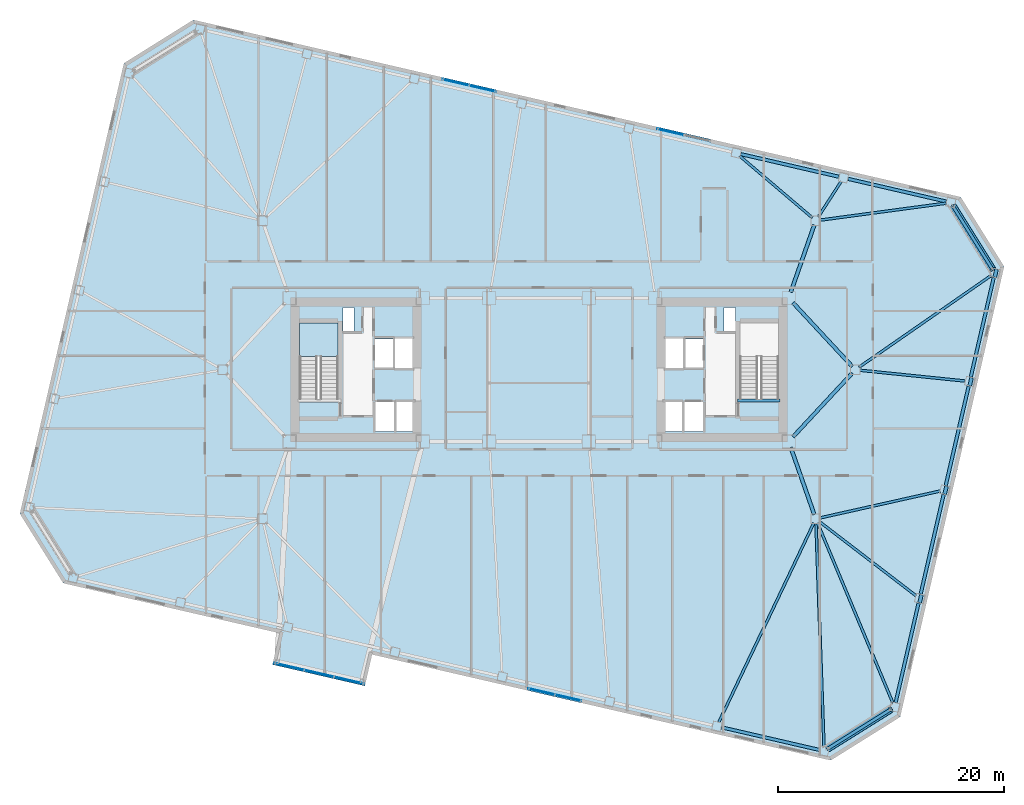
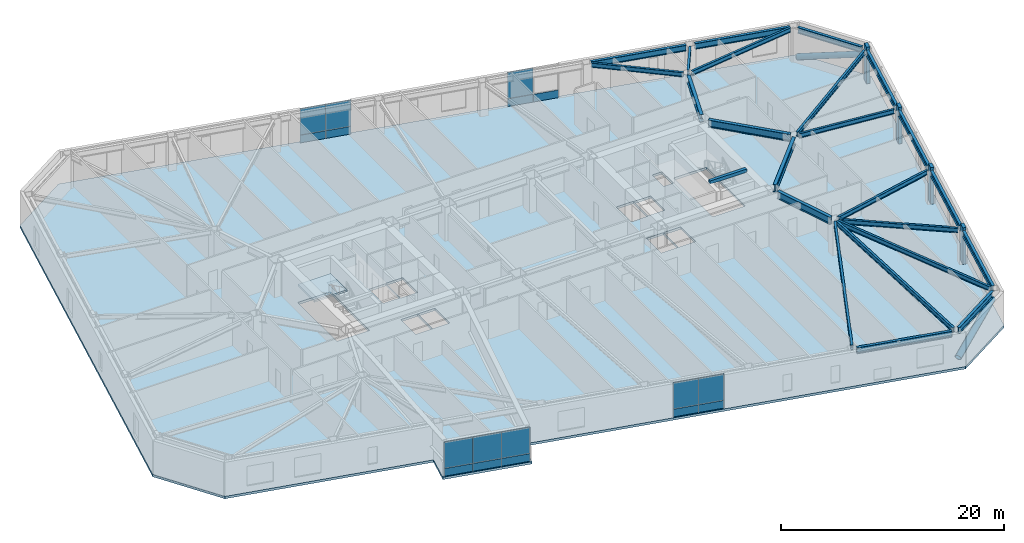
# One storey, part 9 of 21: 24 beams, 17 plates, 6 members, 2 slabs, 5 elements without a shape of their own.
"""IFC4 building model written with IfcOpenShell, lengths in metres."""

from ifc_helpers import new_model, si_unit, direction, frame, origin, origin_2d, place, context, subcontext, project, spatial, polyline, rectangle, hollow_circle, i_section, outline, extrude, material, layer, layer_set, material_profile, profile_set, type_object, element, aggregate, save


model = new_model("IFC4")

# Units and contexts
model_context = context("Model", 3, precision=1e-05, world=origin(), true_north=direction((0.0, 1.0)))
body_context = subcontext(model_context, "Body", "Model", "MODEL_VIEW")
ifc_project = project(units=[si_unit("LENGTHUNIT", "METRE"), si_unit("AREAUNIT", "SQUARE_METRE"), si_unit("VOLUMEUNIT", "CUBIC_METRE"), si_unit("PLANEANGLEUNIT", "RADIAN"), si_unit("MASSUNIT", "GRAM", prefix="KILO")], contexts=[model_context])

# Site, building, storey
site_placement = place(None, origin())
site = spatial("IfcSite", under=ifc_project, at=site_placement, CompositionType="ELEMENT")
building_placement = place(site_placement, origin())
building = spatial("IfcBuilding", under=site, at=building_placement, Name="Tavrogorsk Clinical Tower", CompositionType="ELEMENT")
storey_placement = place(building_placement, frame((0.0, 0.0, 43.39990234375)))
storey = spatial("IfcBuildingStorey", under=building, at=storey_placement, Name="L08", CompositionType="ELEMENT", Elevation=43.39990234375)

# Members
ifc_material_1 = material(Name="Structural steel S440", Category="steel")
ifc_material_profile_1 = material_profile(ifc_material_1, hollow_circle(Radius=0.304931640625, WallThickness=0.02490234375, at=origin_2d()), Name="CHS-610x25")
ifc_profile_set_1 = profile_set([ifc_material_profile_1], Name="Structural steel S440")
member_type_1 = type_object("IfcMemberType", Name="ExoBrace_CHS610", PredefinedType="BRACE", material=ifc_profile_set_1)
for number, where, z_axis, x_axis, name in (
    (1, (25.56396484375, -33.553955078125, 0.442626953125), (0.794678685861, 0.496570017703, 0.349147538667), (-0.529919005048, 0.848048258113, 0.0), "L08 Corner Exoskeleton Brace S8-E1"),
    (2, (36.65380859375, 14.481689453125, 0.442626953125), (0.496596175948, -0.794664984625, 0.349141518935), (0.848031606927, 0.529945651603, 0.0), "L08 Corner Exoskeleton Brace E5-N1"),
):
    element("IfcMember", number, at=place(storey_placement, frame(where, z_axis=z_axis, x_axis=x_axis)), inside=storey, type_object=member_type_1, Name=name, PredefinedType="BRACE", context=body_context, shape_type="SweptSolid", body=[
        extrude(hollow_circle(Radius=0.304931640625, WallThickness=0.02490234375, at=origin_2d()), origin(), (0.0, 0.0, 1.0), 7.03173828125),
    ])

# Beams
ifc_material_2 = material(Name="Structural steel S355", Category="steel")
ifc_material_profile_2 = material_profile(ifc_material_2, i_section(OverallWidth=0.219970703125, OverallDepth=0.5, WebThickness=0.012939453125, FlangeThickness=0.02001953125, at=origin_2d()), Name="B-500x220x13x20")
ifc_profile_set_2 = profile_set([ifc_material_profile_2], Name="Structural steel S355")
beam_type_1 = type_object("IfcBeamType", Name="FloorBeam_B500", PredefinedType="BEAM", material=ifc_profile_set_2)
beam_1_placement = place(storey_placement, frame((24.323486328125, -13.570068359375, 3.489990234375), z_axis=(-0.430503237889, -0.90258903282, 0.0), x_axis=(0.90258903282, -0.430503237889, 0.0)))
element("IfcBeam", 3, at=beam_1_placement, inside=storey, type_object=beam_type_1, Name="L08 Radial Floor Beam S7", PredefinedType="BEAM", context=body_context, shape_type="SweptSolid", body=[
    extrude(i_section(OverallWidth=0.219970703125, OverallDepth=0.5, WebThickness=0.012939453125, FlangeThickness=0.02001953125, at=origin_2d()), origin(), (0.0, 0.0, 1.0), 19.527587890625),
])
beam_2_placement = place(storey_placement, frame((24.5146484375, -13.609619140625, 3.489990234375), z_axis=(0.035968399295, -0.999352927775, 0.0), x_axis=(0.999352927775, 0.035968399295, 0.0)))
element("IfcBeam", 4, at=beam_2_placement, inside=storey, type_object=beam_type_1, Name="L08 Radial Floor Beam S8", PredefinedType="BEAM", context=body_context, shape_type="SweptSolid", body=[
    extrude(i_section(OverallWidth=0.219970703125, OverallDepth=0.5, WebThickness=0.012939453125, FlangeThickness=0.02001953125, at=origin_2d()), origin(), (0.0, 0.0, 1.0), 19.751953125),
])
beam_3_placement = place(storey_placement, frame((24.90625, 13.254638671875, 3.489990234375), z_axis=(0.991091561022, 0.133182272357, 0.0), x_axis=(-0.133182272357, 0.991091561022, 0.0)))
element("IfcBeam", 5, at=beam_3_placement, inside=storey, type_object=beam_type_1, Name="L08 Radial Floor Beam N1", PredefinedType="BEAM", context=body_context, shape_type="SweptSolid", body=[
    extrude(i_section(OverallWidth=0.219970703125, OverallDepth=0.5, WebThickness=0.012939453125, FlangeThickness=0.02001953125, at=origin_2d()), origin(), (0.0, 0.0, 1.0), 11.24072265625),
])
beam_4_placement = place(storey_placement, frame((24.722412109375, 13.54443359375, 3.489990234375), z_axis=(0.54237908978, 0.840133872052, 0.0), x_axis=(-0.840133872052, 0.54237908978, 0.0)))
element("IfcBeam", 6, at=beam_4_placement, inside=storey, type_object=beam_type_1, Name="L08 Radial Floor Beam N2", PredefinedType="BEAM", context=body_context, shape_type="SweptSolid", body=[
    extrude(i_section(OverallWidth=0.219970703125, OverallDepth=0.5, WebThickness=0.012939453125, FlangeThickness=0.02001953125, at=origin_2d()), origin(), (0.0, 0.0, 1.0), 3.70361328125),
])
beam_5_placement = place(storey_placement, frame((24.187744140625, 13.465576171875, 3.489990234375), z_axis=(-0.761805700094, 0.647805584496, 0.0), x_axis=(-0.647805584496, -0.761805700094, 0.0)))
element("IfcBeam", 7, at=beam_5_placement, inside=storey, type_object=beam_type_1, Name="L08 Radial Floor Beam N3", PredefinedType="BEAM", context=body_context, shape_type="SweptSolid", body=[
    extrude(i_section(OverallWidth=0.219970703125, OverallDepth=0.5, WebThickness=0.012939453125, FlangeThickness=0.02001953125, at=origin_2d()), origin(), (0.0, 0.0, 1.0), 8.431396484375),
])
beam_6_placement = place(storey_placement, frame((24.658447265625, -13.578125, 3.489990234375), z_axis=(0.386243430459, -0.922396884441, 0.0), x_axis=(0.922396884441, 0.386243430459, 0.0)))
element("IfcBeam", 8, at=beam_6_placement, inside=storey, type_object=beam_type_1, Name="L08 Radial Floor Beam E1", PredefinedType="BEAM", context=body_context, shape_type="SweptSolid", body=[
    extrude(i_section(OverallWidth=0.219970703125, OverallDepth=0.5, WebThickness=0.012939453125, FlangeThickness=0.02001953125, at=origin_2d()), origin(), (0.0, 0.0, 1.0), 17.243408203125),
])
beam_7_placement = place(storey_placement, frame((24.825439453125, -13.449462890625, 3.489990234375), z_axis=(0.7934457884, -0.608640929342, 0.0), x_axis=(0.608640929342, 0.7934457884, 0.0)))
element("IfcBeam", 9, at=beam_7_placement, inside=storey, type_object=beam_type_1, Name="L08 Radial Floor Beam E2", PredefinedType="BEAM", context=body_context, shape_type="SweptSolid", body=[
    extrude(i_section(OverallWidth=0.219970703125, OverallDepth=0.5, WebThickness=0.012939453125, FlangeThickness=0.02001953125, at=origin_2d()), origin(), (0.0, 0.0, 1.0), 10.769287109375),
])
beam_8_placement = place(storey_placement, frame((24.900146484375, -13.1103515625, 3.489990234375), z_axis=(0.975844140255, 0.218467878484, 0.0), x_axis=(-0.218467878484, 0.975844140255, 0.0)))
element("IfcBeam", 10, at=beam_8_placement, inside=storey, type_object=beam_type_1, Name="L08 Radial Floor Beam E3", PredefinedType="BEAM", context=body_context, shape_type="SweptSolid", body=[
    extrude(i_section(OverallWidth=0.219970703125, OverallDepth=0.5, WebThickness=0.012939453125, FlangeThickness=0.02001953125, at=origin_2d()), origin(), (0.0, 0.0, 1.0), 10.876708984375),
])
beam_9_placement = place(storey_placement, frame((28.407958984375, -0.041748046875, 3.489990234375), z_axis=(0.994791610226, -0.101929643501, 0.0), x_axis=(0.101929643501, 0.994791610226, 0.0)))
element("IfcBeam", 11, at=beam_9_placement, inside=storey, type_object=beam_type_1, Name="L08 Radial Floor Beam E4", PredefinedType="BEAM", context=body_context, shape_type="SweptSolid", body=[
    extrude(i_section(OverallWidth=0.219970703125, OverallDepth=0.5, WebThickness=0.012939453125, FlangeThickness=0.02001953125, at=origin_2d()), origin(), (0.0, 0.0, 1.0), 9.365234375),
])
beam_10_placement = place(storey_placement, frame((28.3369140625, 0.233642578125, 3.489990234375), z_axis=(0.82154295725, 0.570146620961, 0.0), x_axis=(-0.570146620961, 0.82154295725, 0.0)))
element("IfcBeam", 12, at=beam_10_placement, inside=storey, type_object=beam_type_1, Name="L08 Radial Floor Beam E5", PredefinedType="BEAM", context=body_context, shape_type="SweptSolid", body=[
    extrude(i_section(OverallWidth=0.219970703125, OverallDepth=0.5, WebThickness=0.012939453125, FlangeThickness=0.02001953125, at=origin_2d()), origin(), (0.0, 0.0, 1.0), 14.212646484375),
])

# Members
ifc_material_3 = material(Name="Precast concrete B45 with limestone cladding", Category="masonry")
ifc_material_profile_3 = material_profile(ifc_material_3, rectangle(XDim=0.320068359375, YDim=0.719970703125, at=origin_2d()), Name="LIMESTONE-FIN-320x720")
ifc_profile_set_3 = profile_set([ifc_material_profile_3], Name="Precast concrete B45 with limestone cladding")
member_type_2 = type_object("IfcMemberType", Name="LimestonePleatFin_320x720", PredefinedType="USERDEFINED", material=ifc_profile_set_3)
for number, where, z_axis, x_axis, name in (
    (13, (33.772216796875, -20.2705078125, 0.0), (0.0, 0.0, 1.0), (0.974370064785, -0.224951054344, 0.0), "L08 E Pleated Stone Fin 1"),
    (14, (35.990234375, -10.6630859375, 0.0), (0.0, 0.0, 1.0), (0.974370064785, -0.224951054344, 0.0), "L08 E Pleated Stone Fin 2"),
    (15, (38.208251953125, -1.055908203125, 0.0), (0.0, 0.0, 1.0), (0.974370064785, -0.224951054344, 0.0), "L08 E Pleated Stone Fin 3"),
    (16, (40.42626953125, 8.551513671875, 0.0), (0.0, 0.0, 1.0), (0.974370064785, -0.224951054344, 0.0), "L08 E Pleated Stone Fin 4"),
):
    element("IfcMember", number, at=place(storey_placement, frame(where, z_axis=z_axis, x_axis=x_axis)), inside=storey, type_object=member_type_2, Name=name, ObjectType="FIN", PredefinedType="USERDEFINED", context=body_context, shape_type="SweptSolid", body=[
        extrude(rectangle(XDim=0.320068359375, YDim=0.719970703125, at=origin_2d()), origin(), (0.0, 0.0, 1.0), 4.0),
    ])

# Beams
ifc_material_4 = material(Name="Structural steel S390", Category="steel")
ifc_material_profile_4 = material_profile(ifc_material_4, i_section(OverallWidth=0.320068359375, OverallDepth=0.800048828125, WebThickness=0.02001953125, FlangeThickness=0.033935546875, at=origin_2d()), Name="B-800x320x20x34")
ifc_profile_set_4 = profile_set([ifc_material_profile_4], Name="Structural steel S390")
beam_type_2 = type_object("IfcBeamType", Name="PrimaryGirder_B800", PredefinedType="USERDEFINED", material=ifc_profile_set_4)
for number, where, z_axis, x_axis, name in (
    (17, (24.364501953125, -12.81298828125, 3.340087890625), (-0.330668611543, 0.943746930771, 0.0), (-0.943746930771, -0.330668611543, 0.0), "L08 Spine Link Girder OPG-2"),
    (18, (24.364501953125, 12.81298828125, 3.340087890625), (-0.330668611543, -0.943746930771, 0.0), (0.943746930771, -0.330668611543, 0.0), "L08 Spine Link Girder OPG-4"),
):
    element("IfcBeam", number, at=place(storey_placement, frame(where, z_axis=z_axis, x_axis=x_axis)), inside=storey, type_object=beam_type_2, Name=name, ObjectType="GIRDER", PredefinedType="USERDEFINED", context=body_context, shape_type="SweptSolid", body=[
        extrude(i_section(OverallWidth=0.320068359375, OverallDepth=0.800048828125, WebThickness=0.02001953125, FlangeThickness=0.033935546875, at=origin_2d()), origin(), (0.0, 0.0, 1.0), 6.288330078125),
    ])
for number, where, z_axis, x_axis, name in (
    (19, (27.720947265625, -0.30029296875, 3.340087890625), (-0.680671250221, -0.732589004233, 0.0), (0.732589004233, -0.680671250221, 0.0), "L08 Spine Link Girder OPG-7"),
    (20, (27.720947265625, 0.30029296875, 3.340087890625), (-0.680671250221, 0.732589004233, 0.0), (-0.732589004233, -0.680671250221, 0.0), "L08 Spine Link Girder OPG-8"),
):
    element("IfcBeam", number, at=place(storey_placement, frame(where, z_axis=z_axis, x_axis=x_axis)), inside=storey, type_object=beam_type_2, Name=name, ObjectType="GIRDER", PredefinedType="USERDEFINED", context=body_context, shape_type="SweptSolid", body=[
        extrude(i_section(OverallWidth=0.320068359375, OverallDepth=0.800048828125, WebThickness=0.02001953125, FlangeThickness=0.033935546875, at=origin_2d()), origin(), (0.0, 0.0, 1.0), 7.697998046875),
    ])
ifc_material_5 = material(Name="Structural steel S390", Category="steel")
ifc_material_profile_5 = material_profile(ifc_material_5, i_section(OverallWidth=0.280029296875, OverallDepth=0.64990234375, WebThickness=0.01611328125, FlangeThickness=0.02490234375, at=origin_2d()), Name="B-650x280x16x25")
ifc_profile_set_5 = profile_set([ifc_material_profile_5], Name="Structural steel S390")
beam_type_3 = type_object("IfcBeamType", Name="SpandrelBeam_B650", PredefinedType="SPANDREL", material=ifc_profile_set_5)
beam_11_placement = place(storey_placement, frame((16.138427734375, -31.655517578125, 3.4150390625), z_axis=(0.974372766602, -0.224939351168, 0.0), x_axis=(0.224939351168, 0.974372766602, 0.0)))
element("IfcBeam", 21, at=beam_11_placement, inside=storey, type_object=beam_type_3, Name="L08 Perimeter Spandrel S7-S8", PredefinedType="SPANDREL", context=body_context, shape_type="SweptSolid", body=[
    extrude(i_section(OverallWidth=0.280029296875, OverallDepth=0.64990234375, WebThickness=0.01611328125, FlangeThickness=0.02490234375, at=origin_2d()), origin(), (0.0, 0.0, 1.0), 8.9326171875),
])
beam_12_placement = place(storey_placement, frame((25.585693359375, -33.540283203125, 3.4150390625), z_axis=(0.848061235793, 0.529898235839, 0.0), x_axis=(-0.529898235839, 0.848061235793, 0.0)))
element("IfcBeam", 22, at=beam_12_placement, inside=storey, type_object=beam_type_3, Name="L08 Perimeter Spandrel S8-E1", PredefinedType="SPANDREL", context=body_context, shape_type="SweptSolid", body=[
    extrude(i_section(OverallWidth=0.280029296875, OverallDepth=0.64990234375, WebThickness=0.01611328125, FlangeThickness=0.02490234375, at=origin_2d()), origin(), (0.0, 0.0, 1.0), 6.537841796875),
])
beam_13_placement = place(storey_placement, frame((31.56787109375, -29.462158203125, 3.4150390625), z_axis=(0.224971881043, 0.974365256328, 0.0), x_axis=(-0.974365256328, 0.224971881043, 0.0)))
element("IfcBeam", 23, at=beam_13_placement, inside=storey, type_object=beam_type_3, Name="L08 Perimeter Spandrel E1-E2", PredefinedType="SPANDREL", context=body_context, shape_type="SweptSolid", body=[
    extrude(i_section(OverallWidth=0.280029296875, OverallDepth=0.64990234375, WebThickness=0.01611328125, FlangeThickness=0.02490234375, at=origin_2d()), origin(), (0.0, 0.0, 1.0), 9.044189453125),
])
for number, where, z_axis, x_axis, name in (
    (24, (33.785888671875, -19.85498046875, 3.4150390625), (0.224946252597, 0.974371173343, 0.0), (-0.974371173343, 0.224946252597, 0.0), "L08 Perimeter Spandrel E2-E3"),
    (25, (36.00390625, -10.24755859375, 3.4150390625), (0.224946252597, 0.974371173343, 0.0), (-0.974371173343, 0.224946252597, 0.0), "L08 Perimeter Spandrel E3-E4"),
):
    element("IfcBeam", number, at=place(storey_placement, frame(where, z_axis=z_axis, x_axis=x_axis)), inside=storey, type_object=beam_type_3, Name=name, PredefinedType="SPANDREL", context=body_context, shape_type="SweptSolid", body=[
        extrude(i_section(OverallWidth=0.280029296875, OverallDepth=0.64990234375, WebThickness=0.01611328125, FlangeThickness=0.02490234375, at=origin_2d()), origin(), (0.0, 0.0, 1.0), 9.0439453125),
    ])
beam_14_placement = place(storey_placement, frame((38.221923828125, -0.640380859375, 3.4150390625), z_axis=(0.224971881043, 0.974365256328, 0.0), x_axis=(-0.974365256328, 0.224971881043, 0.0)))
element("IfcBeam", 26, at=beam_14_placement, inside=storey, type_object=beam_type_3, Name="L08 Perimeter Spandrel E4-E5", PredefinedType="SPANDREL", context=body_context, shape_type="SweptSolid", body=[
    extrude(i_section(OverallWidth=0.280029296875, OverallDepth=0.64990234375, WebThickness=0.01611328125, FlangeThickness=0.02490234375, at=origin_2d()), origin(), (0.0, 0.0, 1.0), 9.044189453125),
])
beam_15_placement = place(storey_placement, frame((40.132080078125, 8.91552734375, 3.4150390625), z_axis=(-0.529925092475, 0.848044454239, 0.0), x_axis=(-0.848044454239, -0.529925092475, 0.0)))
element("IfcBeam", 27, at=beam_15_placement, inside=storey, type_object=beam_type_3, Name="L08 Perimeter Spandrel E5-N1", PredefinedType="SPANDREL", context=body_context, shape_type="SweptSolid", body=[
    extrude(i_section(OverallWidth=0.280029296875, OverallDepth=0.64990234375, WebThickness=0.01611328125, FlangeThickness=0.02490234375, at=origin_2d()), origin(), (0.0, 0.0, 1.0), 6.537841796875),
])
for number, where, z_axis, x_axis, name in (
    (28, (36.0537109375, 14.897705078125, 3.4150390625), (-0.974366775889, 0.224965299645, 0.0), (-0.224965299645, -0.974366775889, 0.0), "L08 Perimeter Spandrel N1-N2"),
    (29, (26.554931640625, 17.090576171875, 3.4150390625), (-0.974366775889, 0.224965299645, 0.0), (-0.224965299645, -0.974366775889, 0.0), "L08 Perimeter Spandrel N2-N3"),
):
    element("IfcBeam", number, at=place(storey_placement, frame(where, z_axis=z_axis, x_axis=x_axis)), inside=storey, type_object=beam_type_3, Name=name, PredefinedType="SPANDREL", context=body_context, shape_type="SweptSolid", body=[
        extrude(i_section(OverallWidth=0.280029296875, OverallDepth=0.64990234375, WebThickness=0.01611328125, FlangeThickness=0.02490234375, at=origin_2d()), origin(), (0.0, 0.0, 1.0), 8.9326171875),
    ])
ifc_material_6 = material(Name="Concrete B60", Category="concrete")
ifc_material_profile_6 = material_profile(ifc_material_6, rectangle(XDim=0.300048828125, YDim=0.35009765625, at=origin_2d()), Name="RC-SHB-300x350")
ifc_profile_set_6 = profile_set([ifc_material_profile_6], Name="Concrete B60")
beam_type_4 = type_object("IfcBeamType", Name="StairHeaderBeam_RC300x350", PredefinedType="BEAM", material=ifc_profile_set_6)
beam_16_placement = place(storey_placement, frame((17.550048828125, -2.719970703125, 3.8251953125), z_axis=(1.0, 0.0, 0.0), x_axis=(0.0, 1.0, 0.0)))
element("IfcBeam", 30, at=beam_16_placement, inside=storey, type_object=beam_type_4, Name="L09 ST-E Landing Header Beam", PredefinedType="BEAM", context=body_context, shape_type="SweptSolid", body=[
    extrude(rectangle(XDim=0.300048828125, YDim=0.35009765625, at=origin_2d()), origin(), (0.0, 0.0, 1.0), 3.800048828125),
])

# Curtain wall, plates
ifc_material_7 = material(Name="Anodised aluminium and triple IGU glazing", Category="aluminium")
ifc_layer_1 = layer(ifc_material_7, 0.179931640625)
ifc_layer_set_1 = layer_set([ifc_layer_1], Name="Anodised aluminium and triple IGU glazing")
curtain_wall_type_1 = type_object("IfcCurtainWallType", Name="CW3_SouthSlot", PredefinedType="NOTDEFINED", material=ifc_layer_set_1)
curtain_wall_1_placement = place(storey_placement, origin())
curtain_wall_1 = element("IfcCurtainWall", 31, at=curtain_wall_1_placement, inside=storey, type_object=curtain_wall_type_1, Name="L08 Curtain Wall CW-L08-S-SLOT-2", PredefinedType="NOTDEFINED")
ifc_material_8 = material(Name="Honed Podolsk limestone spandrel panel", Category="masonry")
ifc_layer_2 = layer(ifc_material_8, 0.080078125)
ifc_layer_set_2 = layer_set([ifc_layer_2], Name="Honed Podolsk limestone spandrel panel")
plate_type_1 = type_object("IfcPlateType", Name="CwSpandrelStonePanel_80", PredefinedType="CURTAIN_PANEL", material=ifc_layer_set_2)
plate_1_placement = place(storey_placement, frame((0.201171875, -28.49951171875, 0.002197265625), z_axis=(0.0, 0.0, 1.0), x_axis=(0.974370102963, -0.224950888978, 0.0)))
plate_1 = element("IfcPlate", 32, at=plate_1_placement, type_object=plate_type_1, Name="CW-L08-S-SLOT-2 Stone Spandrel Panel 1", PredefinedType="CURTAIN_PANEL", context=body_context, shape_type="SweptSolid", body=[
    extrude(rectangle(XDim=2.39208984375, YDim=0.080078125, at=origin_2d()), origin(), (0.0, 0.0, 1.0), 0.8359375),
])
plate_2_placement = place(storey_placement, frame((2.55517578125, -29.04296875, 0.002197265625), z_axis=(0.0, 0.0, 1.0), x_axis=(0.974370102963, -0.224950888978, 0.0)))
plate_2 = element("IfcPlate", 33, at=plate_2_placement, type_object=plate_type_1, Name="CW-L08-S-SLOT-2 Stone Spandrel Panel 2", PredefinedType="CURTAIN_PANEL", context=body_context, shape_type="SweptSolid", body=[
    extrude(rectangle(XDim=2.39208984375, YDim=0.080078125, at=origin_2d()), origin(), (0.0, 0.0, 1.0), 0.8359375),
])

ifc_material_9 = material(Name="Anodised aluminium and triple IGU glazing", Category="aluminium")
ifc_layer_3 = layer(ifc_material_9, 0.179931640625)
ifc_layer_set_3 = layer_set([ifc_layer_3], Name="Anodised aluminium and triple IGU glazing")
curtain_wall_type_2 = type_object("IfcCurtainWallType", Name="CW2_NorthSlot", PredefinedType="NOTDEFINED", material=ifc_layer_set_3)
curtain_wall_2_placement = place(storey_placement, origin())
curtain_wall_2 = element("IfcCurtainWall", 34, at=curtain_wall_2_placement, inside=storey, type_object=curtain_wall_type_2, Name="L08 Curtain Wall CW-L08-N-SLOT-1", PredefinedType="NOTDEFINED")
plate_3_placement = place(storey_placement, frame((-5.001220703125, 24.8994140625, 0.002197265625), z_axis=(0.0, 0.0, 1.0), x_axis=(-0.974370102963, 0.224950888978, 0.0)))
plate_3 = element("IfcPlate", 35, at=plate_3_placement, type_object=plate_type_1, Name="CW-L08-N-SLOT-1 Stone Spandrel Panel 1", PredefinedType="CURTAIN_PANEL", context=body_context, shape_type="SweptSolid", body=[
    extrude(rectangle(XDim=2.39208984375, YDim=0.080078125, at=origin_2d()), origin(), (0.0, 0.0, 1.0), 0.8359375),
])
plate_4_placement = place(storey_placement, frame((-7.355224609375, 25.44287109375, 0.002197265625), z_axis=(0.0, 0.0, 1.0), x_axis=(-0.974370102963, 0.224950888978, 0.0)))
plate_4 = element("IfcPlate", 36, at=plate_4_placement, type_object=plate_type_1, Name="CW-L08-N-SLOT-1 Stone Spandrel Panel 2", PredefinedType="CURTAIN_PANEL", context=body_context, shape_type="SweptSolid", body=[
    extrude(rectangle(XDim=2.39208984375, YDim=0.080078125, at=origin_2d()), origin(), (0.0, 0.0, 1.0), 0.8359375),
])

curtain_wall_3_placement = place(storey_placement, origin())
curtain_wall_3 = element("IfcCurtainWall", 37, at=curtain_wall_3_placement, inside=storey, type_object=curtain_wall_type_2, Name="L08 Curtain Wall CW-L08-N-SLOT-2", PredefinedType="NOTDEFINED")
plate_5_placement = place(storey_placement, frame((13.996337890625, 20.513427734375, 0.002197265625), z_axis=(0.0, 0.0, 1.0), x_axis=(-0.974370046851, 0.224951132027, 0.0)))
plate_5 = element("IfcPlate", 38, at=plate_5_placement, type_object=plate_type_1, Name="CW-L08-N-SLOT-2 Stone Spandrel Panel 1", PredefinedType="CURTAIN_PANEL", context=body_context, shape_type="SweptSolid", body=[
    extrude(rectangle(XDim=2.39208984375, YDim=0.080078125, at=origin_2d()), origin(), (0.0, 0.0, 1.0), 0.8359375),
])
plate_6_placement = place(storey_placement, frame((11.642333984375, 21.05712890625, 0.002197265625), z_axis=(0.0, 0.0, 1.0), x_axis=(-0.974370046851, 0.224951132027, 0.0)))
plate_6 = element("IfcPlate", 39, at=plate_6_placement, type_object=plate_type_1, Name="CW-L08-N-SLOT-2 Stone Spandrel Panel 2", PredefinedType="CURTAIN_PANEL", context=body_context, shape_type="SweptSolid", body=[
    extrude(rectangle(XDim=2.39208984375, YDim=0.080078125, at=origin_2d()), origin(), (0.0, 0.0, 1.0), 0.8359375),
])

ifc_material_10 = material(Name="Anodised aluminium and triple IGU glazing", Category="aluminium")
ifc_layer_4 = layer(ifc_material_10, 0.179931640625)
ifc_layer_set_4 = layer_set([ifc_layer_4], Name="Anodised aluminium and triple IGU glazing")
curtain_wall_type_3 = type_object("IfcCurtainWallType", Name="CW4_DayroomBox", PredefinedType="NOTDEFINED", material=ifc_layer_set_4)
curtain_wall_4_placement = place(storey_placement, origin())
curtain_wall_4 = element("IfcCurtainWall", 40, at=curtain_wall_4_placement, inside=storey, type_object=curtain_wall_type_3, Name="L08 Curtain Wall CW-DRB-01-L08", PredefinedType="NOTDEFINED")
plate_7_placement = place(storey_placement, frame((-22.120849609375, -26.29150390625, 0.002197265625), z_axis=(0.0, 0.0, 1.0), x_axis=(0.974370049065, -0.224951122436, 0.0)))
plate_7 = element("IfcPlate", 41, at=plate_7_placement, type_object=plate_type_1, Name="CW-DRB-01-L08 Stone Spandrel Panel 1", PredefinedType="CURTAIN_PANEL", context=body_context, shape_type="SweptSolid", body=[
    extrude(rectangle(XDim=2.68798828125, YDim=0.080078125, at=origin_2d()), origin(), (0.0, 0.0, 1.0), 0.8359375),
])
plate_8_placement = place(storey_placement, frame((-19.484130859375, -26.900146484375, 0.002197265625), z_axis=(0.0, 0.0, 1.0), x_axis=(0.974370049065, -0.224951122436, 0.0)))
plate_8 = element("IfcPlate", 42, at=plate_8_placement, type_object=plate_type_1, Name="CW-DRB-01-L08 Stone Spandrel Panel 2", PredefinedType="CURTAIN_PANEL", context=body_context, shape_type="SweptSolid", body=[
    extrude(rectangle(XDim=2.676025390625, YDim=0.080078125, at=origin_2d()), origin(), (0.0, 0.0, 1.0), 0.8359375),
])
plate_9_placement = place(storey_placement, frame((-16.84765625, -27.509033203125, 0.002197265625), z_axis=(0.0, 0.0, 1.0), x_axis=(0.974370049065, -0.224951122436, 0.0)))
plate_9 = element("IfcPlate", 43, at=plate_9_placement, type_object=plate_type_1, Name="CW-DRB-01-L08 Stone Spandrel Panel 3", PredefinedType="CURTAIN_PANEL", context=body_context, shape_type="SweptSolid", body=[
    extrude(rectangle(XDim=2.68798828125, YDim=0.080078125, at=origin_2d()), origin(), (0.0, 0.0, 1.0), 0.8359375),
])

# Plate
ifc_material_11 = material(Name="Triple low-E argon insulated glass", Category="glass")
ifc_layer_5 = layer(ifc_material_11, 0.048095703125)
ifc_layer_set_5 = layer_set([ifc_layer_5], Name="Triple low-E argon insulated glass")
plate_type_2 = type_object("IfcPlateType", Name="CwVisionGlassPanel_48", PredefinedType="CURTAIN_PANEL", material=ifc_layer_set_5)
plate_10_placement = place(storey_placement, frame((0.201171875, -28.49951171875, 0.862060546875), z_axis=(0.0, 0.0, 1.0), x_axis=(0.974370102963, -0.224950888978, 0.0)))
plate_10 = element("IfcPlate", 44, at=plate_10_placement, type_object=plate_type_2, Name="CW-L08-S-SLOT-2 Glazing Panel 1", PredefinedType="CURTAIN_PANEL", context=body_context, shape_type="SweptSolid", body=[
    extrude(rectangle(XDim=2.39208984375, YDim=0.048095703125, at=origin_2d()), origin(), (0.0, 0.0, 1.0), 2.8759765625),
])

plate_11_placement = place(storey_placement, frame((2.55517578125, -29.04296875, 0.862060546875), z_axis=(0.0, 0.0, 1.0), x_axis=(0.974370102963, -0.224950888978, 0.0)))
plate_11 = element("IfcPlate", 45, at=plate_11_placement, type_object=plate_type_2, Name="CW-L08-S-SLOT-2 Glazing Panel 2", PredefinedType="CURTAIN_PANEL", context=body_context, shape_type="SweptSolid", body=[
    extrude(rectangle(XDim=2.39208984375, YDim=0.048095703125, at=origin_2d()), origin(), (0.0, 0.0, 1.0), 2.8759765625),
])

aggregate(curtain_wall_1, [plate_1, plate_10, plate_2, plate_11])

plate_12_placement = place(storey_placement, frame((-5.001220703125, 24.8994140625, 0.862060546875), z_axis=(0.0, 0.0, 1.0), x_axis=(-0.974370102963, 0.224950888978, 0.0)))
plate_12 = element("IfcPlate", 46, at=plate_12_placement, type_object=plate_type_2, Name="CW-L08-N-SLOT-1 Glazing Panel 1", PredefinedType="CURTAIN_PANEL", context=body_context, shape_type="SweptSolid", body=[
    extrude(rectangle(XDim=2.39208984375, YDim=0.048095703125, at=origin_2d()), origin(), (0.0, 0.0, 1.0), 2.8759765625),
])

plate_13_placement = place(storey_placement, frame((-7.355224609375, 25.44287109375, 0.862060546875), z_axis=(0.0, 0.0, 1.0), x_axis=(-0.974370102963, 0.224950888978, 0.0)))
plate_13 = element("IfcPlate", 47, at=plate_13_placement, type_object=plate_type_2, Name="CW-L08-N-SLOT-1 Glazing Panel 2", PredefinedType="CURTAIN_PANEL", context=body_context, shape_type="SweptSolid", body=[
    extrude(rectangle(XDim=2.39208984375, YDim=0.048095703125, at=origin_2d()), origin(), (0.0, 0.0, 1.0), 2.8759765625),
])

aggregate(curtain_wall_2, [plate_3, plate_12, plate_4, plate_13])

plate_14_placement = place(storey_placement, frame((11.642333984375, 21.05712890625, 0.862060546875), z_axis=(0.0, 0.0, 1.0), x_axis=(-0.974370046851, 0.224951132027, 0.0)))
plate_14 = element("IfcPlate", 48, at=plate_14_placement, type_object=plate_type_2, Name="CW-L08-N-SLOT-2 Glazing Panel 2", PredefinedType="CURTAIN_PANEL", context=body_context, shape_type="SweptSolid", body=[
    extrude(rectangle(XDim=2.39208984375, YDim=0.048095703125, at=origin_2d()), origin(), (0.0, 0.0, 1.0), 2.8759765625),
])

aggregate(curtain_wall_3, [plate_5, plate_6, plate_14])

plate_15_placement = place(storey_placement, frame((-22.120849609375, -26.29150390625, 0.862060546875), z_axis=(0.0, 0.0, 1.0), x_axis=(0.974370049065, -0.224951122436, 0.0)))
plate_15 = element("IfcPlate", 49, at=plate_15_placement, type_object=plate_type_2, Name="CW-DRB-01-L08 Glazing Panel 1", PredefinedType="CURTAIN_PANEL", context=body_context, shape_type="SweptSolid", body=[
    extrude(rectangle(XDim=2.68798828125, YDim=0.048095703125, at=origin_2d()), origin(), (0.0, 0.0, 1.0), 2.8759765625),
])

plate_16_placement = place(storey_placement, frame((-19.484130859375, -26.900146484375, 0.862060546875), z_axis=(0.0, 0.0, 1.0), x_axis=(0.974370049065, -0.224951122436, 0.0)))
plate_16 = element("IfcPlate", 50, at=plate_16_placement, type_object=plate_type_2, Name="CW-DRB-01-L08 Glazing Panel 2", PredefinedType="CURTAIN_PANEL", context=body_context, shape_type="SweptSolid", body=[
    extrude(rectangle(XDim=2.676025390625, YDim=0.048095703125, at=origin_2d()), origin(), (0.0, 0.0, 1.0), 2.8759765625),
])

plate_17_placement = place(storey_placement, frame((-16.84765625, -27.509033203125, 0.862060546875), z_axis=(0.0, 0.0, 1.0), x_axis=(0.974370049065, -0.224951122436, 0.0)))
plate_17 = element("IfcPlate", 51, at=plate_17_placement, type_object=plate_type_2, Name="CW-DRB-01-L08 Glazing Panel 3", PredefinedType="CURTAIN_PANEL", context=body_context, shape_type="SweptSolid", body=[
    extrude(rectangle(XDim=2.68798828125, YDim=0.048095703125, at=origin_2d()), origin(), (0.0, 0.0, 1.0), 2.8759765625),
])

aggregate(curtain_wall_4, [plate_7, plate_15, plate_8, plate_16, plate_9, plate_17])

# Stair, slab
ifc_material_12 = material(Name="Concrete B60", Category="concrete")
stair_type = type_object("IfcStairType", Name="CoreStairAssembly", PredefinedType="HALF_TURN_STAIR", material=ifc_material_12)
stair_placement = place(storey_placement, origin())
stair = element("IfcStair", 52, at=stair_placement, inside=storey, type_object=stair_type, Name="L08 ST-W", PredefinedType="HALF_TURN_STAIR")
ifc_material_13 = material(Name="Concrete B60", Category="concrete")
ifc_layer_6 = layer(ifc_material_13, 0.199951171875)
ifc_layer_set_6 = layer_set([ifc_layer_6], Name="Concrete B60")
slab_type_1 = type_object("IfcSlabType", Name="StairLanding_200", PredefinedType="LANDING", material=ifc_layer_set_6)
slab_1_placement = place(storey_placement, frame((0.0, 0.0, 1.800048828125)))
slab_1 = element("IfcSlab", 53, at=slab_1_placement, type_object=slab_type_1, Name="ST-W landing 1", PredefinedType="LANDING", context=body_context, shape_type="SweptSolid", body=[
    extrude(outline(polyline([(-17.800048828125, 1.1650390625), (-17.800048828125, 4.125), (-21.199951171875, 4.125), (-21.199951171875, 1.1650390625), (-17.800048828125, 1.1650390625)])), origin(), (0.0, 0.0, 1.0), 0.199951171875),
])
aggregate(stair, [slab_1])

# Slab
ifc_material_14 = material(Name="Concrete B60", Category="concrete")
ifc_layer_7 = layer(ifc_material_14, 0.260009765625)
ifc_layer_set_7 = layer_set([ifc_layer_7], Name="Concrete B60")
slab_type_2 = type_object("IfcSlabType", Name="WardSlab_260", PredefinedType="FLOOR", material=ifc_layer_set_7)
slab_2_placement = place(storey_placement, frame((0.0, 0.0, -0.260009765625)))
element("IfcSlab", 54, at=slab_2_placement, inside=storey, type_object=slab_type_2, Name="L08 Structural Slab", PredefinedType="FLOOR", context=body_context, shape_type="SweptSolid", body=[
    extrude(outline(polyline([(-42.06689453125, -18.91552734375), (-45.9638671875, -12.67919921875), (-36.785888671875, 27.0751953125), (-30.54931640625, 30.97216796875), (37.266845703125, 15.315673828125), (41.163818359375, 9.0791015625), (31.98583984375, -30.67529296875), (25.749267578125, -34.572265625), (-14.784423828125, -25.214111328125), (-15.425537109375, -27.9912109375), (-23.6103515625, -26.1015625), (-22.96923828125, -23.32470703125), (-42.06689453125, -18.91552734375)]), holes=[polyline([(-17.800048828125, -2.8798828125), (-17.800048828125, 4.125), (-21.199951171875, 4.125), (-21.199951171875, -2.8798828125), (-17.800048828125, -2.8798828125)]), polyline([(21.199951171875, -2.8798828125), (21.199951171875, 4.125), (17.800048828125, 4.125), (17.800048828125, -2.8798828125), (21.199951171875, -2.8798828125)]), polyline([(-14.6201171875, 0.169921875), (-12.860107421875, 0.169921875), (-12.860107421875, 2.72998046875), (-14.6201171875, 2.72998046875), (-14.6201171875, 0.169921875)]), polyline([(-14.530029296875, -5.47998046875), (-12.77001953125, -5.47998046875), (-12.77001953125, -2.820068359375), (-14.530029296875, -2.820068359375), (-14.530029296875, -5.47998046875)]), polyline([(-12.72998046875, -5.47998046875), (-10.969970703125, -5.47998046875), (-10.969970703125, -2.820068359375), (-12.72998046875, -2.820068359375), (-12.72998046875, -5.47998046875)]), polyline([(-12.840087890625, 0.1201171875), (-11.080078125, 0.1201171875), (-11.080078125, 2.780029296875), (-12.840087890625, 2.780029296875), (-12.840087890625, 0.1201171875)]), polyline([(12.860107421875, 0.169921875), (14.6201171875, 0.169921875), (14.6201171875, 2.72998046875), (12.860107421875, 2.72998046875), (12.860107421875, 0.169921875)]), polyline([(12.77001953125, -5.47998046875), (14.530029296875, -5.47998046875), (14.530029296875, -2.820068359375), (12.77001953125, -2.820068359375), (12.77001953125, -5.47998046875)]), polyline([(10.969970703125, -5.47998046875), (12.72998046875, -5.47998046875), (12.72998046875, -2.820068359375), (10.969970703125, -2.820068359375), (10.969970703125, -5.47998046875)]), polyline([(11.080078125, 0.1201171875), (12.840087890625, 0.1201171875), (12.840087890625, 2.780029296875), (11.080078125, 2.780029296875), (11.080078125, 0.1201171875)]), polyline([(-17.3798828125, 3.449951171875), (-16.3798828125, 3.449951171875), (-16.3798828125, 5.5), (-17.3798828125, 5.5), (-17.3798828125, 3.449951171875)]), polyline([(16.3798828125, 3.449951171875), (17.3798828125, 3.449951171875), (17.3798828125, 5.5), (16.3798828125, 5.5), (16.3798828125, 3.449951171875)])]), origin(), (0.0, 0.0, 1.0), 0.260009765625),
])

save(model, "model.ifc")
